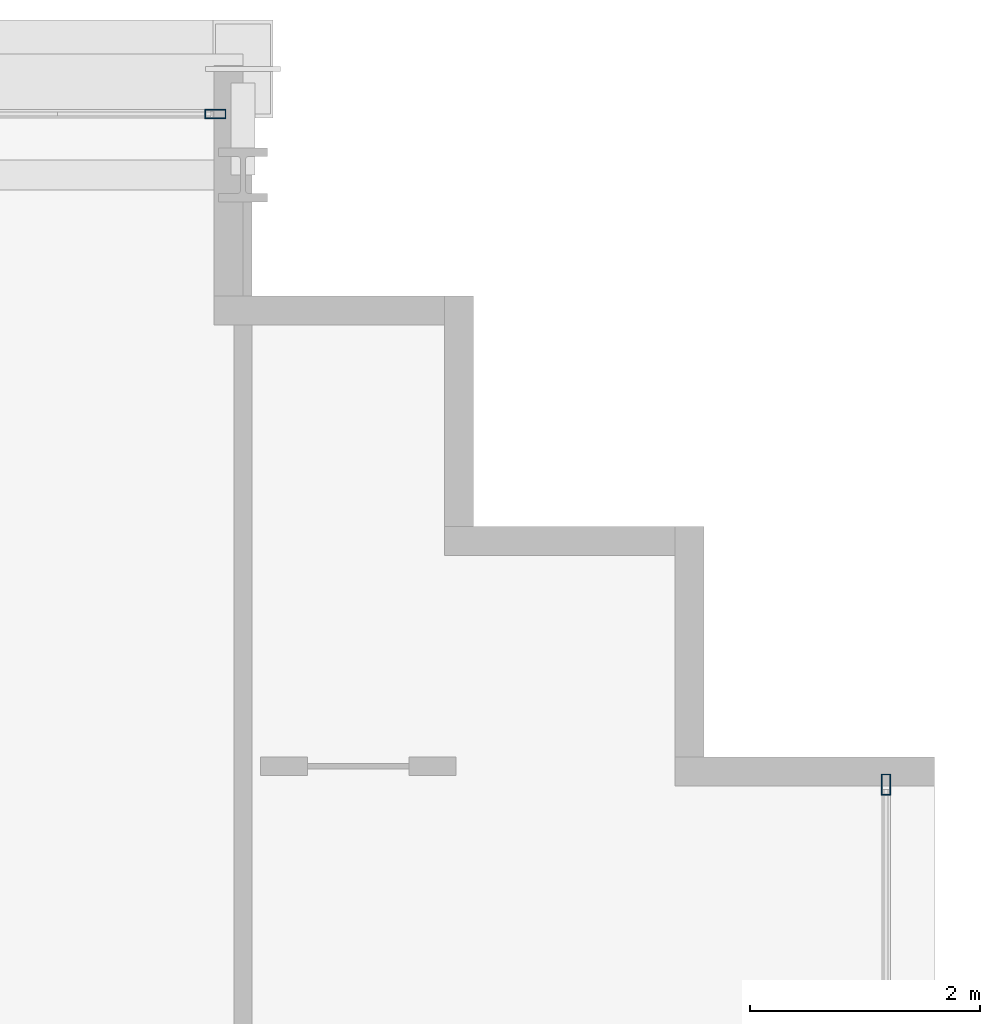
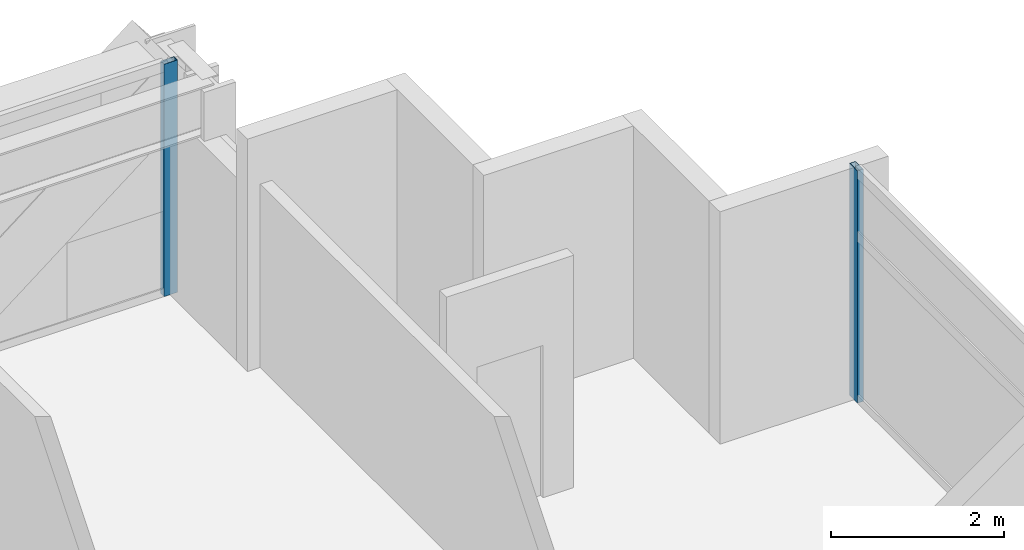
# One storey, part 22 of 35: 2 members, 2 elements without a shape of their own.
"""IFC4 building model written with IfcOpenShell, lengths in metres."""

from ifc_helpers import new_model, si_unit, direction, frame, origin, origin_2d, place, context, subcontext, project, spatial, hollow_rectangle, extrude, source, transform, mapped, material, layer, layer_set, material_profile, profile_set, type_object, element, aggregate, save


model = new_model("IFC4")

# Units and contexts
model_context = context("Model", 3, precision=1e-05, world=origin(), true_north=direction((0.0, 1.0)))
body_context = subcontext(model_context, "Body", "Model", "MODEL_VIEW")
ifc_project = project(units=[si_unit("LENGTHUNIT", "METRE"), si_unit("AREAUNIT", "SQUARE_METRE"), si_unit("VOLUMEUNIT", "CUBIC_METRE"), si_unit("PLANEANGLEUNIT", "RADIAN"), si_unit("MASSUNIT", "GRAM", prefix="KILO")], contexts=[model_context])

# Site, building, storey
site_placement = place(None, origin())
site = spatial("IfcSite", under=ifc_project, at=site_placement, CompositionType="ELEMENT")
building_placement = place(site_placement, origin())
building = spatial("IfcBuilding", under=site, at=building_placement, Name="Ocotamira Hotel", CompositionType="ELEMENT")
storey_placement = place(building_placement, frame((0.0, 0.0, 81.60009765625)))
storey = spatial("IfcBuildingStorey", under=building, at=storey_placement, Name="L20", CompositionType="ELEMENT", Elevation=81.60009765625)

# Curtain wall, member
ifc_material_1 = material(Name="Anodised pale-metal aluminium and solar glass", Category="aluminium")
ifc_layer = layer(ifc_material_1, 0.179931640625)
ifc_layer_set = layer_set([ifc_layer], Name="Anodised pale-metal aluminium and solar glass")
curtain_wall_type = type_object("IfcCurtainWallType", Name="CW-SYS2-Z1", PredefinedType="NOTDEFINED", material=ifc_layer_set)
curtain_wall_1_placement = place(storey_placement, origin())
curtain_wall_1 = element("IfcCurtainWall", 1, at=curtain_wall_1_placement, inside=storey, type_object=curtain_wall_type, Name="L20 Curtain Wall CW-2 CW-L20-N", PredefinedType="NOTDEFINED")
ifc_material_2 = material(Name="Anodised pale-metal aluminium 6063-T6", Category="aluminium")
ifc_material_profile = material_profile(ifc_material_2, hollow_rectangle(XDim=0.080078125, YDim=0.179931640625, WallThickness=0.006103515625, at=origin_2d()), Name="HSS180X80X6")
ifc_profile_set = profile_set([ifc_material_profile], Name="Anodised pale-metal aluminium 6063-T6")
member_type = type_object("IfcMemberType", Name="CWM-180X75", PredefinedType="MULLION", material=ifc_profile_set)
shared_shape = source(origin(), body_context, "Body", "SweptSolid", [
    extrude(hollow_rectangle(XDim=0.080078125, YDim=0.179931640625, WallThickness=0.006103515625, at=origin_2d()), origin(), (0.0, 0.0, 1.0), 3.27978515625),
])
member_1_placement = place(storey_placement, frame((49.760009765625, 49.580078125, 0.0), z_axis=(0.0, 0.0, 1.0), x_axis=(0.0, 1.0, 0.0)))
member_1 = element("IfcMember", 2, at=member_1_placement, type_object=member_type, Name="CW-2 mullion 10", PredefinedType="MULLION", context=body_context, shape_type="MappedRepresentation", body=[
    mapped(shared_shape, transform((0.0, 0.0, 0.0), scale=1.0)),
])
aggregate(curtain_wall_1, [member_1])

curtain_wall_2_placement = place(storey_placement, origin())
curtain_wall_2 = element("IfcCurtainWall", 3, at=curtain_wall_2_placement, inside=storey, type_object=curtain_wall_type, Name="L20 Curtain Wall CW-2 CW-L20-E", PredefinedType="NOTDEFINED")
member_2_placement = place(storey_placement, frame((55.580078125, 43.760009765625, 0.0), z_axis=(0.0, 0.0, 1.0), x_axis=(-1.0, 0.0, 0.0)))
member_2 = element("IfcMember", 4, at=member_2_placement, type_object=member_type, Name="CW-2 mullion 8", PredefinedType="MULLION", context=body_context, shape_type="MappedRepresentation", body=[
    mapped(shared_shape, transform((0.0, 0.0, 0.0), scale=1.0)),
])
aggregate(curtain_wall_2, [member_2])

save(model, "model.ifc")
